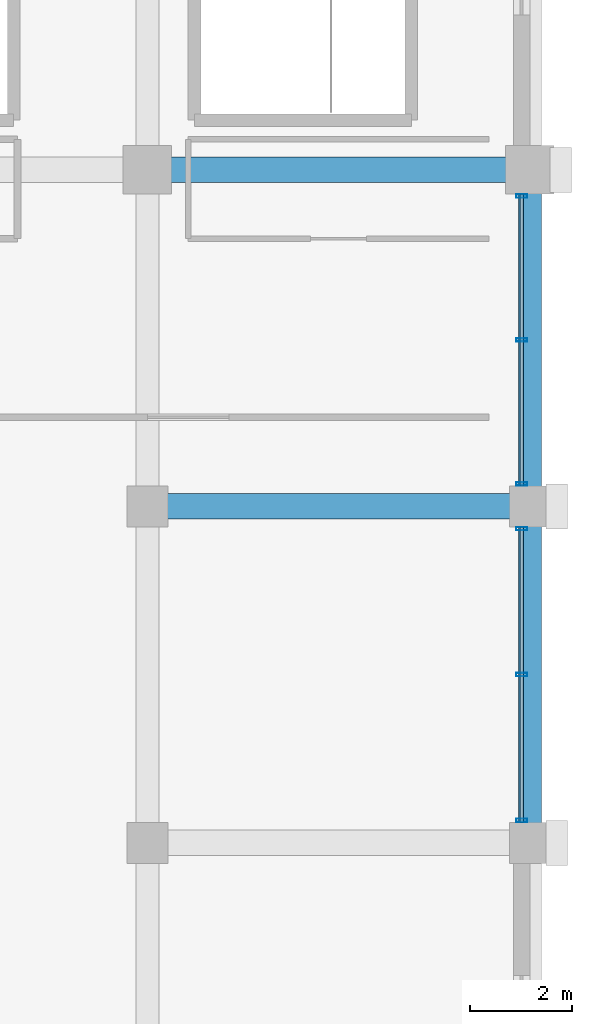
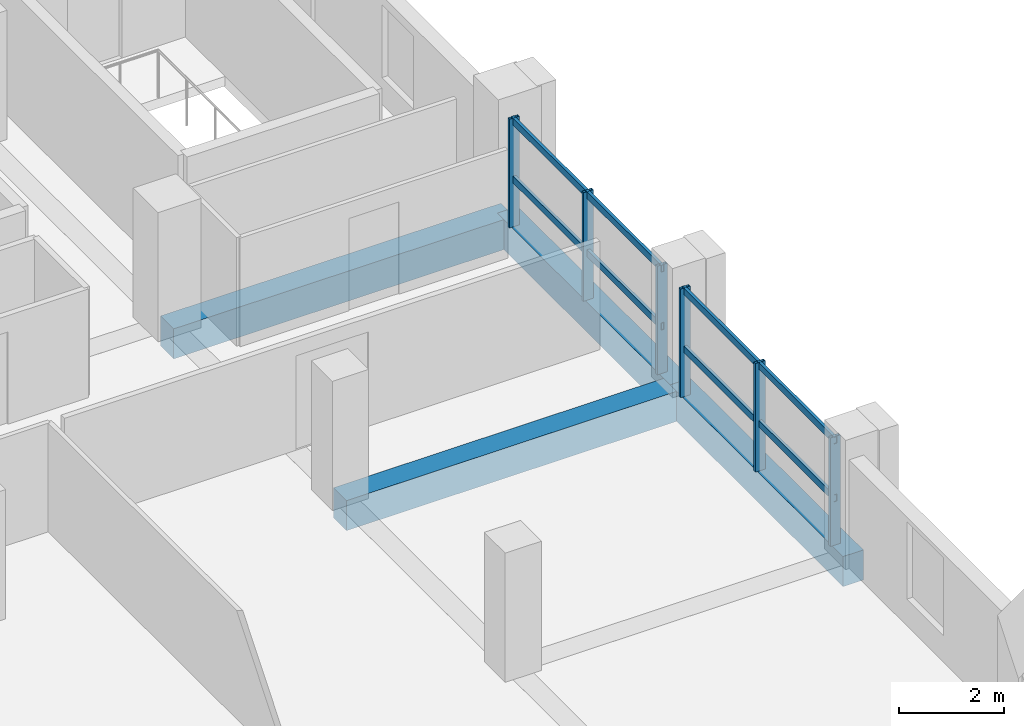
# One storey, part 14 of 21: 10 members, 4 beams, 2 elements without a shape of their own.
"""IFC4 building model written with IfcOpenShell, lengths in metres."""

from ifc_helpers import new_model, si_unit, direction, frame, origin, origin_2d, place, context, subcontext, project, spatial, rectangle, hollow_rectangle, extrude, material, material_profile, profile_set, type_object, element, aggregate, save


model = new_model("IFC4")

# Units and contexts
model_context = context("Model", 3, precision=1e-05, world=origin(), true_north=direction((0.0, 1.0)))
body_context = subcontext(model_context, "Body", "Model", "MODEL_VIEW")
ifc_project = project(units=[si_unit("LENGTHUNIT", "METRE"), si_unit("AREAUNIT", "SQUARE_METRE"), si_unit("VOLUMEUNIT", "CUBIC_METRE"), si_unit("PLANEANGLEUNIT", "RADIAN"), si_unit("MASSUNIT", "GRAM", prefix="KILO")], contexts=[model_context])

# Site, building, storey
site_placement = place(None, origin())
site = spatial("IfcSite", under=ifc_project, at=site_placement, CompositionType="ELEMENT")
building_placement = place(site_placement, origin())
building = spatial("IfcBuilding", under=site, at=building_placement, Name="Akrevak Sports Hall", CompositionType="ELEMENT")
storey_placement = place(building_placement, frame((0.0, 0.0, 37.300048828125)))
storey = spatial("IfcBuildingStorey", under=building, at=storey_placement, Name="L08", CompositionType="ELEMENT", Elevation=37.300048828125)

# Curtain wall, members
ifc_material_1 = material(Name="Anodized Bronze Aluminium & Low-E Glass", Category="aluminium")
curtain_wall_type = type_object("IfcCurtainWallType", Name="ARC-CW-TWR-72x30", PredefinedType="NOTDEFINED", material=ifc_material_1)
curtain_wall_1_placement = place(storey_placement, origin())
curtain_wall_1 = element("IfcCurtainWall", 1, at=curtain_wall_1_placement, inside=storey, type_object=curtain_wall_type, Name="Curtain Wall CW-L08-E15", PredefinedType="NOTDEFINED")
ifc_material_2 = material(Name="Anodized Bronze Aluminium", Category="aluminium")
ifc_material_profile_1 = material_profile(ifc_material_2, hollow_rectangle(XDim=0.06494140625, YDim=0.219970703125, WallThickness=0.00439453125, at=origin_2d()), Name="CWM 65x220", Category="aluminium")
ifc_profile_set_1 = profile_set([ifc_material_profile_1], Name="Anodized Bronze Aluminium")
member_type_1 = type_object("IfcMemberType", Name="ARC-CWM-70x160", PredefinedType="MULLION", material=ifc_profile_set_1)
member_1_placement = place(storey_placement, frame((115.340087890625, 42.43994140625, 0.0), z_axis=(0.0, 0.0, 1.0), x_axis=(0.0, 1.0, 0.0)))
member_1 = element("IfcMember", 2, at=member_1_placement, type_object=member_type_1, Name="Curtain Wall Mullion CW-L08-E15-M1", PredefinedType="MULLION", context=body_context, shape_type="SweptSolid", body=[
    extrude(hollow_rectangle(XDim=0.06494140625, YDim=0.219970703125, WallThickness=0.00439453125, at=origin_2d()), origin(), (0.0, 0.0, 1.0), 2.530029296875),
])
member_2_placement = place(storey_placement, frame((115.340087890625, 45.300048828125, 0.0), z_axis=(0.0, 0.0, 1.0), x_axis=(0.0, 1.0, 0.0)))
member_2 = element("IfcMember", 3, at=member_2_placement, type_object=member_type_1, Name="Curtain Wall Mullion CW-L08-E15-M2", PredefinedType="MULLION", context=body_context, shape_type="SweptSolid", body=[
    extrude(hollow_rectangle(XDim=0.06494140625, YDim=0.219970703125, WallThickness=0.00439453125, at=origin_2d()), origin(), (0.0, 0.0, 1.0), 2.530029296875),
])
member_3_placement = place(storey_placement, frame((115.340087890625, 48.159912109375, 0.0), z_axis=(0.0, 0.0, 1.0), x_axis=(0.0, 1.0, 0.0)))
member_3 = element("IfcMember", 4, at=member_3_placement, type_object=member_type_1, Name="Curtain Wall Mullion CW-L08-E15-M3", PredefinedType="MULLION", context=body_context, shape_type="SweptSolid", body=[
    extrude(hollow_rectangle(XDim=0.06494140625, YDim=0.219970703125, WallThickness=0.00439453125, at=origin_2d()), origin(), (0.0, 0.0, 1.0), 2.530029296875),
])

curtain_wall_2_placement = place(storey_placement, origin())
curtain_wall_2 = element("IfcCurtainWall", 5, at=curtain_wall_2_placement, inside=storey, type_object=curtain_wall_type, Name="Curtain Wall CW-L08-E16", PredefinedType="NOTDEFINED")
member_4_placement = place(storey_placement, frame((115.340087890625, 49.0400390625, 0.0), z_axis=(0.0, 0.0, 1.0), x_axis=(0.0, 1.0, 0.0)))
member_4 = element("IfcMember", 6, at=member_4_placement, type_object=member_type_1, Name="Curtain Wall Mullion CW-L08-E16-M1", PredefinedType="MULLION", context=body_context, shape_type="SweptSolid", body=[
    extrude(hollow_rectangle(XDim=0.06494140625, YDim=0.219970703125, WallThickness=0.00439453125, at=origin_2d()), origin(), (0.0, 0.0, 1.0), 2.530029296875),
])
member_5_placement = place(storey_placement, frame((115.340087890625, 51.862548828125, 0.0), z_axis=(0.0, 0.0, 1.0), x_axis=(0.0, 1.0, 0.0)))
member_5 = element("IfcMember", 7, at=member_5_placement, type_object=member_type_1, Name="Curtain Wall Mullion CW-L08-E16-M2", PredefinedType="MULLION", context=body_context, shape_type="SweptSolid", body=[
    extrude(hollow_rectangle(XDim=0.06494140625, YDim=0.219970703125, WallThickness=0.00439453125, at=origin_2d()), origin(), (0.0, 0.0, 1.0), 2.530029296875),
])
member_6_placement = place(storey_placement, frame((115.340087890625, 54.68505859375, 0.0), z_axis=(0.0, 0.0, 1.0), x_axis=(0.0, 1.0, 0.0)))
member_6 = element("IfcMember", 8, at=member_6_placement, type_object=member_type_1, Name="Curtain Wall Mullion CW-L08-E16-M3", PredefinedType="MULLION", context=body_context, shape_type="SweptSolid", body=[
    extrude(hollow_rectangle(XDim=0.06494140625, YDim=0.219970703125, WallThickness=0.00439453125, at=origin_2d()), origin(), (0.0, 0.0, 1.0), 2.530029296875),
])

# Member
ifc_material_profile_2 = material_profile(ifc_material_2, hollow_rectangle(XDim=0.06494140625, YDim=0.159912109375, WallThickness=0.00390625, at=origin_2d()), Name="CWT 65x160", Category="aluminium")
ifc_profile_set_2 = profile_set([ifc_material_profile_2], Name="Anodized Bronze Aluminium")
member_type_2 = type_object("IfcMemberType", Name="ARC-CWT-70x130", PredefinedType="USERDEFINED", material=ifc_profile_set_2)
member_7_placement = place(storey_placement, frame((115.340087890625, 42.39990234375, 1.099853515625), z_axis=(0.0, 1.0, 0.0), x_axis=(-1.0, 0.0, 0.0)))
member_7 = element("IfcMember", 9, at=member_7_placement, type_object=member_type_2, Name="Curtain Wall Transom CW-L08-E15-T1", ObjectType="TRANSOM", PredefinedType="USERDEFINED", context=body_context, shape_type="SweptSolid", body=[
    extrude(hollow_rectangle(XDim=0.06494140625, YDim=0.159912109375, WallThickness=0.00390625, at=origin_2d()), origin(), (0.0, 0.0, 1.0), 5.800048828125),
])

member_8_placement = place(storey_placement, frame((115.340087890625, 42.39990234375, 2.449951171875), z_axis=(0.0, 1.0, 0.0), x_axis=(-1.0, 0.0, 0.0)))
member_8 = element("IfcMember", 10, at=member_8_placement, type_object=member_type_2, Name="Curtain Wall Transom CW-L08-E15-T2", ObjectType="TRANSOM", PredefinedType="USERDEFINED", context=body_context, shape_type="SweptSolid", body=[
    extrude(hollow_rectangle(XDim=0.06494140625, YDim=0.159912109375, WallThickness=0.00390625, at=origin_2d()), origin(), (0.0, 0.0, 1.0), 5.800048828125),
])

aggregate(curtain_wall_1, [member_1, member_2, member_3, member_7, member_8])

member_9_placement = place(storey_placement, frame((115.340087890625, 49.0, 1.099853515625), z_axis=(0.0, 1.0, 0.0), x_axis=(-1.0, 0.0, 0.0)))
member_9 = element("IfcMember", 11, at=member_9_placement, type_object=member_type_2, Name="Curtain Wall Transom CW-L08-E16-T1", ObjectType="TRANSOM", PredefinedType="USERDEFINED", context=body_context, shape_type="SweptSolid", body=[
    extrude(hollow_rectangle(XDim=0.06494140625, YDim=0.159912109375, WallThickness=0.00390625, at=origin_2d()), origin(), (0.0, 0.0, 1.0), 5.72509765625),
])

member_10_placement = place(storey_placement, frame((115.340087890625, 49.0, 2.449951171875), z_axis=(0.0, 1.0, 0.0), x_axis=(-1.0, 0.0, 0.0)))
member_10 = element("IfcMember", 12, at=member_10_placement, type_object=member_type_2, Name="Curtain Wall Transom CW-L08-E16-T2", ObjectType="TRANSOM", PredefinedType="USERDEFINED", context=body_context, shape_type="SweptSolid", body=[
    extrude(hollow_rectangle(XDim=0.06494140625, YDim=0.159912109375, WallThickness=0.00390625, at=origin_2d()), origin(), (0.0, 0.0, 1.0), 5.72509765625),
])

aggregate(curtain_wall_2, [member_4, member_5, member_6, member_9, member_10])

# Beams
ifc_material_3 = material(Name="Concrete C40/50", Category="concrete")
ifc_material_profile_3 = material_profile(ifc_material_3, rectangle(XDim=0.449951171875, YDim=0.699951171875, at=origin_2d()), Name="BM 450x700", Category="concrete")
ifc_profile_set_3 = profile_set([ifc_material_profile_3], Name="Concrete C40/50")
beam_type_1 = type_object("IfcBeamType", Name="STR-BM-RC450x700", PredefinedType="BEAM", material=ifc_profile_set_3)
beam_1_placement = place(storey_placement, frame((115.5, 42.0, -0.35009765625), z_axis=(0.0, 1.0, 0.0), x_axis=(-1.0, 0.0, 0.0)))
element("IfcBeam", 13, at=beam_1_placement, inside=storey, type_object=beam_type_1, Name="Girder 16/G-H (L08)", PredefinedType="BEAM", context=body_context, shape_type="SweptSolid", body=[
    extrude(rectangle(XDim=0.449951171875, YDim=0.699951171875, at=origin_2d()), origin(), (0.0, 0.0, 1.0), 6.60009765625),
])
beam_2_placement = place(storey_placement, frame((115.5, 48.60009765625, -0.35009765625), z_axis=(0.0, 1.0, 0.0), x_axis=(-1.0, 0.0, 0.0)))
element("IfcBeam", 14, at=beam_2_placement, inside=storey, type_object=beam_type_1, Name="Girder 16/H-I (L08)", PredefinedType="BEAM", context=body_context, shape_type="SweptSolid", body=[
    extrude(rectangle(XDim=0.449951171875, YDim=0.699951171875, at=origin_2d()), origin(), (0.0, 0.0, 1.0), 6.599853515625),
])
ifc_material_profile_4 = material_profile(ifc_material_3, rectangle(XDim=0.5, YDim=0.699951171875, at=origin_2d()), Name="BM 500x700", Category="concrete")
ifc_profile_set_4 = profile_set([ifc_material_profile_4], Name="Concrete C40/50")
beam_type_2 = type_object("IfcBeamType", Name="STR-BM-RC500x700", PredefinedType="BEAM", material=ifc_profile_set_4)
for number, where, z_axis, x_axis, name in (
    (15, (108.0, 48.60009765625, -0.35009765625), (1.0, 0.0, 0.0), (0.0, 1.0, 0.0), "Girder H/15-16 (L08)"),
    (16, (108.0, 55.199951171875, -0.35009765625), (1.0, 0.0, 0.0), (0.0, 1.0, 0.0), "Girder I/15-16 (L08)"),
):
    element("IfcBeam", number, at=place(storey_placement, frame(where, z_axis=z_axis, x_axis=x_axis)), inside=storey, type_object=beam_type_2, Name=name, PredefinedType="BEAM", context=body_context, shape_type="SweptSolid", body=[
        extrude(rectangle(XDim=0.5, YDim=0.699951171875, at=origin_2d()), origin(), (0.0, 0.0, 1.0), 7.5),
    ])

save(model, "model.ifc")
